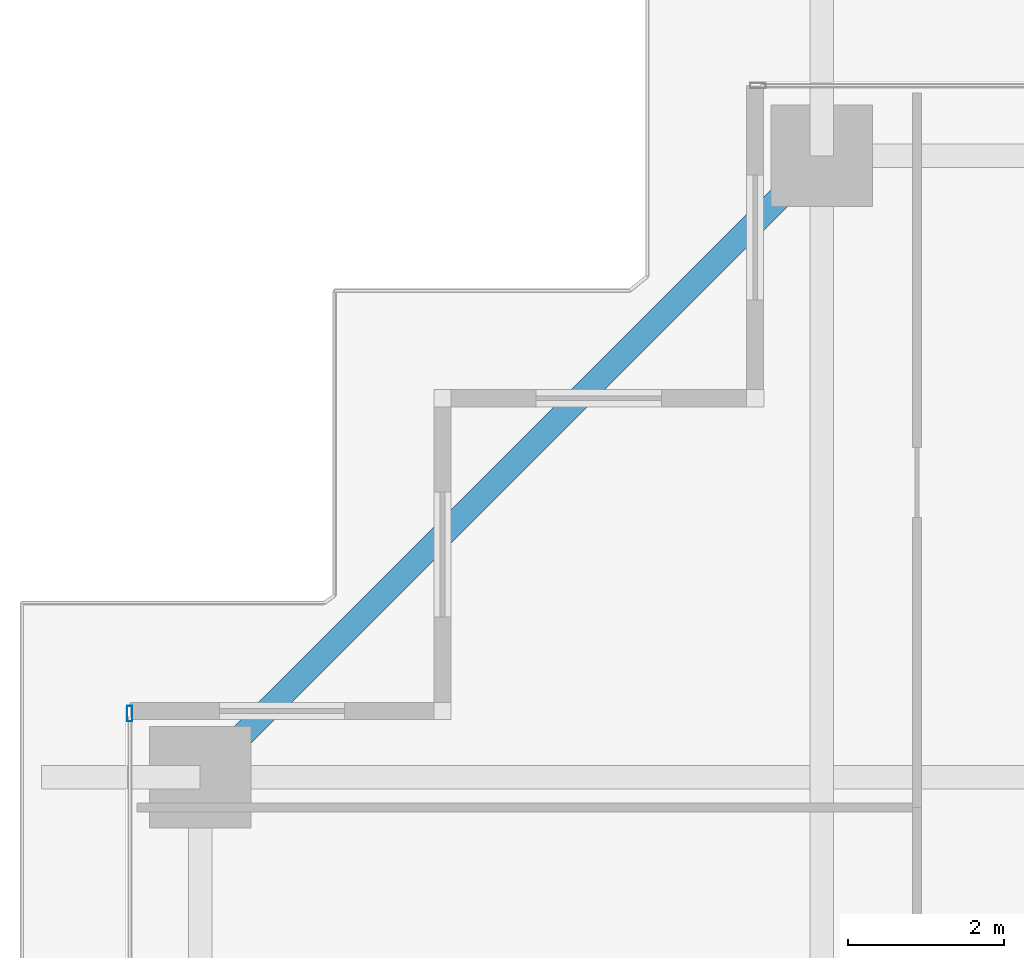
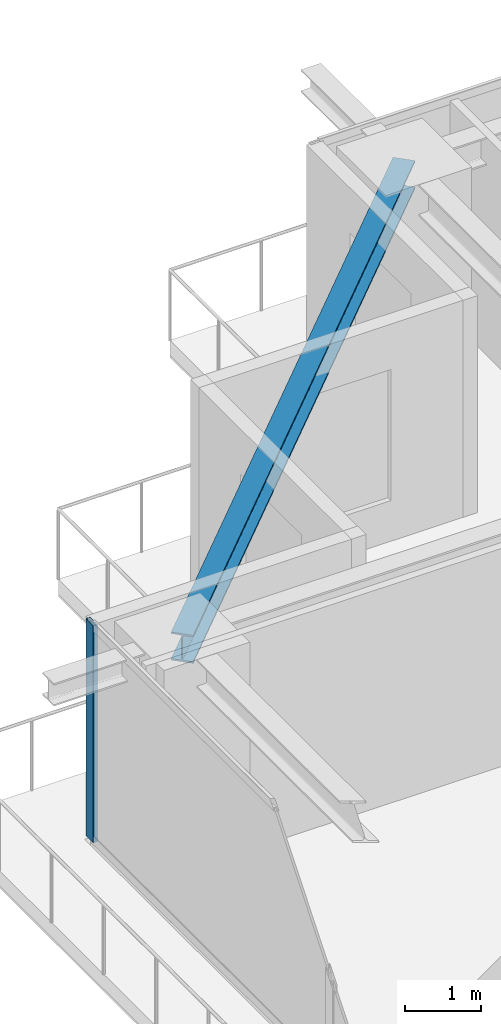
# One storey, part 18 of 36: 1 beam, 1 member, 1 element without a shape of its own.
"""IFC4 building model written with IfcOpenShell, lengths in metres."""

from ifc_helpers import new_model, si_unit, direction, frame, origin, origin_2d, place, context, subcontext, project, spatial, hollow_rectangle, i_section, extrude, source, transform, mapped, material, layer, layer_set, material_profile, profile_set, type_object, element, aggregate, save


model = new_model("IFC4")

# Units and contexts
model_context = context("Model", 3, precision=1e-05, world=origin(), true_north=direction((0.0, 1.0)))
body_context = subcontext(model_context, "Body", "Model", "MODEL_VIEW")
ifc_project = project(units=[si_unit("LENGTHUNIT", "METRE"), si_unit("AREAUNIT", "SQUARE_METRE"), si_unit("VOLUMEUNIT", "CUBIC_METRE"), si_unit("PLANEANGLEUNIT", "RADIAN"), si_unit("MASSUNIT", "GRAM", prefix="KILO")], contexts=[model_context])

# Site, building, storey
site_placement = place(None, origin())
site = spatial("IfcSite", under=ifc_project, at=site_placement, CompositionType="ELEMENT")
building_placement = place(site_placement, origin())
building = spatial("IfcBuilding", under=site, at=building_placement, Name="Serunith Strait Residences", CompositionType="ELEMENT")
storey_placement = place(building_placement, frame((0.0, 0.0, 146.39990234375)))
storey = spatial("IfcBuildingStorey", under=building, at=storey_placement, Name="L36", CompositionType="ELEMENT", Elevation=146.39990234375)

# Beam
ifc_material_1 = material(Name="Steel S355J2", Category="steel")
ifc_material_profile_1 = material_profile(ifc_material_1, i_section(OverallWidth=0.300048828125, OverallDepth=0.449951171875, WebThickness=0.013916015625, FlangeThickness=0.02587890625, FilletRadius=0.027099609375, at=origin_2d()), Name="HEB 450")
ifc_profile_set_1 = profile_set([ifc_material_profile_1], Name="Steel S355J2")
beam_type = type_object("IfcBeamType", Name="BM-HEB450", PredefinedType="BEAM", material=ifc_profile_set_1)
shared_shape_1 = source(origin(), body_context, "Body", "SweptSolid", [
    extrude(i_section(OverallWidth=0.300048828125, OverallDepth=0.449951171875, WebThickness=0.013916015625, FlangeThickness=0.02587890625, FilletRadius=0.027099609375, at=origin_2d()), origin(), (0.0, 0.0, 1.0), 11.2431640625),
])
beam_placement = place(storey_placement, frame((16.64990234375, 48.10009765625, 3.232177734375), z_axis=(-0.707095923751, -0.707117638455, 0.0), x_axis=(0.707117638455, -0.707095923751, 0.0)))
element("IfcBeam", 1, at=beam_placement, inside=storey, type_object=beam_type, Name="L36 Perimeter Ring Beam 12", PredefinedType="BEAM", context=body_context, shape_type="MappedRepresentation", body=[
    mapped(shared_shape_1, transform((0.0, 0.0, 0.0), scale=1.0)),
])

# Curtain wall, member
ifc_material_2 = material(Name="Pale-Champagne Anodised Aluminium", Category="aluminium")
ifc_layer = layer(ifc_material_2, 0.199951171875, Name="Pale-Champagne Anodised Aluminium")
ifc_layer_set = layer_set([ifc_layer], Name="Pale-Champagne Anodised Aluminium")
curtain_wall_type = type_object("IfcCurtainWallType", Name="CW-SYS2", PredefinedType="NOTDEFINED", material=ifc_layer_set)
curtain_wall_placement = place(storey_placement, origin())
curtain_wall = element("IfcCurtainWall", 2, at=curtain_wall_placement, inside=storey, type_object=curtain_wall_type, Name="L36 W Unitised Fritted Curtain Wall", PredefinedType="NOTDEFINED")
ifc_material_profile_2 = material_profile(ifc_material_2, hollow_rectangle(XDim=0.070068359375, YDim=0.199951171875, WallThickness=0.00390625, InnerFilletRadius=0.006103515625, OuterFilletRadius=0.010009765625, at=origin_2d()), Name="ALU 200x70x4")
ifc_profile_set_2 = profile_set([ifc_material_profile_2], Name="Pale-Champagne Anodised Aluminium")
member_type = type_object("IfcMemberType", Name="CW-SYS2-MULL", PredefinedType="MULLION", material=ifc_profile_set_2)
shared_shape_2 = source(origin(), body_context, "Body", "SweptSolid", [
    extrude(hollow_rectangle(XDim=0.070068359375, YDim=0.199951171875, WallThickness=0.00390625, InnerFilletRadius=0.006103515625, OuterFilletRadius=0.010009765625, at=origin_2d()), origin(), (0.0, 0.0, 1.0), 3.47509765625),
])
member_placement = place(storey_placement, frame((7.800048828125, 40.965087890625, 0.0), z_axis=(0.0, 0.0, 1.0), x_axis=(1.0, 0.0, 0.0)))
member = element("IfcMember", 3, at=member_placement, type_object=member_type, Name="CW-2 mullion 1", PredefinedType="MULLION", context=body_context, shape_type="MappedRepresentation", body=[
    mapped(shared_shape_2, transform((0.0, 0.0, 0.0), scale=1.0)),
])
aggregate(curtain_wall, [member])

save(model, "model.ifc")
